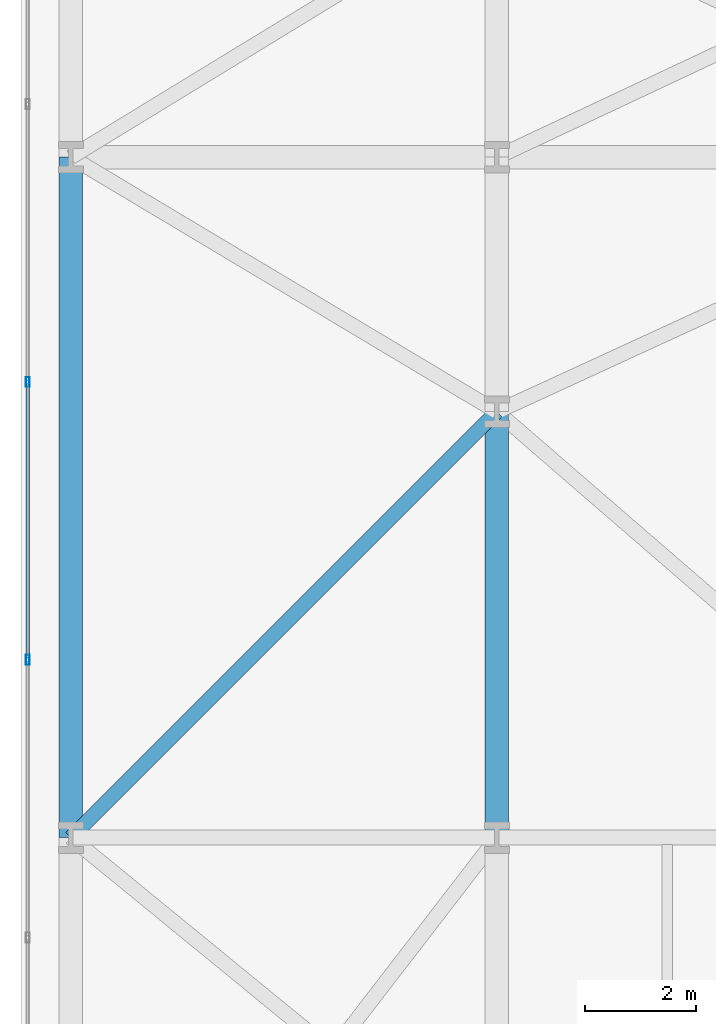
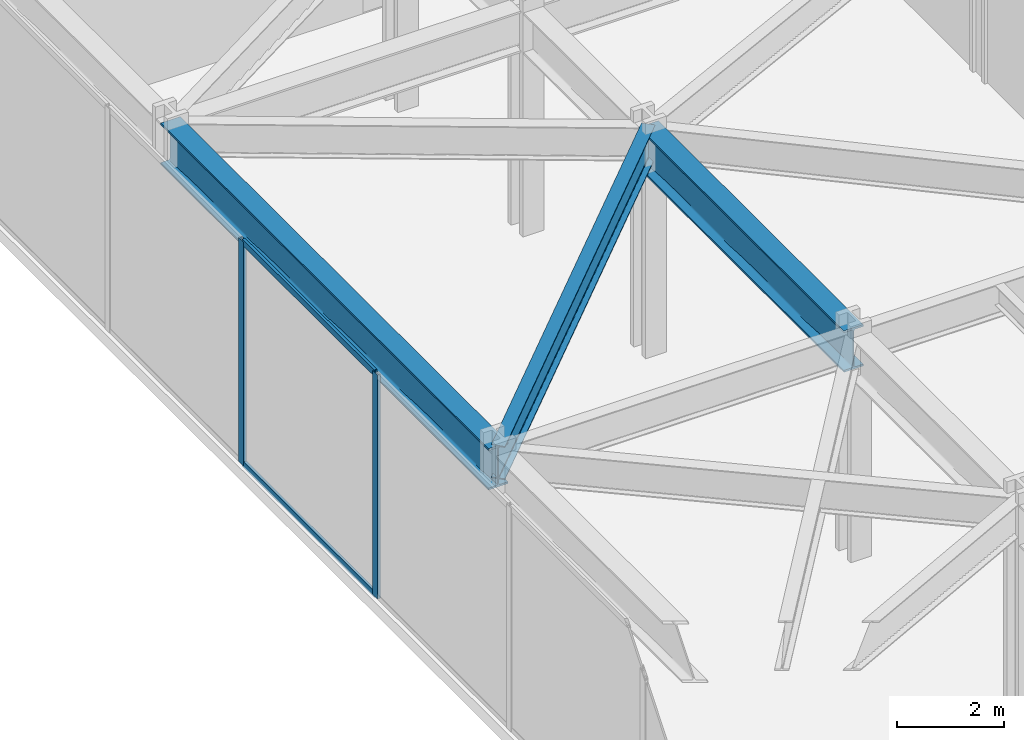
# One storey, part 8 of 29: 4 members, 3 beams, 1 element without a shape of its own.
"""IFC4 building model written with IfcOpenShell, lengths in metres."""

from ifc_helpers import new_model, si_unit, direction, frame, origin, origin_2d, place, context, subcontext, project, spatial, hollow_rectangle, i_section, extrude, material, layer, layer_set, material_profile, profile_set, type_object, element, aggregate, save


model = new_model("IFC4")

# Units and contexts
model_context = context("Model", 3, precision=1e-05, world=origin(), true_north=direction((0.0, 1.0)))
body_context = subcontext(model_context, "Body", "Model", "MODEL_VIEW")
ifc_project = project(units=[si_unit("LENGTHUNIT", "METRE"), si_unit("AREAUNIT", "SQUARE_METRE"), si_unit("VOLUMEUNIT", "CUBIC_METRE"), si_unit("PLANEANGLEUNIT", "RADIAN"), si_unit("MASSUNIT", "GRAM", prefix="KILO")], contexts=[model_context])

# Site, building, storey
site_placement = place(None, origin())
site = spatial("IfcSite", under=ifc_project, at=site_placement, CompositionType="ELEMENT")
building_placement = place(site_placement, origin())
building = spatial("IfcBuilding", under=site, at=building_placement, Name="Kravanh Interchange Tower", CompositionType="ELEMENT")
storey_placement = place(building_placement, frame((0.0, 0.0, 5.39990234375)))
storey = spatial("IfcBuildingStorey", under=building, at=storey_placement, Name="L01", CompositionType="ELEMENT", Elevation=5.39990234375)

# Curtain wall, members
ifc_material_1 = material(Name="Anodised Bronze Aluminium", Category="aluminium")
ifc_layer = layer(ifc_material_1, 0.179931640625)
ifc_layer_set = layer_set([ifc_layer], Name="Unitised Curtain Wall System CW-POD Podium Concourse")
curtain_wall_type = type_object("IfcCurtainWallType", Name="Unitised Curtain Wall System CW-POD Podium Concourse", PredefinedType="NOTDEFINED", material=ifc_layer_set)
curtain_wall_placement = place(storey_placement, origin())
curtain_wall = element("IfcCurtainWall", 1, at=curtain_wall_placement, inside=storey, type_object=curtain_wall_type, Name="L01 Unitised Curtain Wall CW-L01-01", PredefinedType="NOTDEFINED")
ifc_material_2 = material(Name="Anodised Bronze Aluminium", Category="aluminium")
ifc_material_profile_1 = material_profile(ifc_material_2, hollow_rectangle(XDim=0.070068359375, YDim=0.179931640625, WallThickness=0.00390625, at=origin_2d()), Name="ALU70X180X4")
ifc_profile_set_1 = profile_set([ifc_material_profile_1], Name="Anodised Bronze Aluminium")
member_type_1 = type_object("IfcMemberType", Name="Curtain Wall Mullion ALU70X180X4 Bronze", PredefinedType="MULLION", material=ifc_profile_set_1)
member_1_placement = place(storey_placement, frame((0.1201171875, 17.714111328125, 0.0), z_axis=(0.0, 0.0, 1.0), x_axis=(-1.0, 0.0, 0.0)))
member_1 = element("IfcMember", 2, at=member_1_placement, type_object=member_type_1, Name="CW-POD mullion 4", PredefinedType="MULLION", context=body_context, shape_type="SweptSolid", body=[
    extrude(hollow_rectangle(XDim=0.070068359375, YDim=0.179931640625, WallThickness=0.00390625, at=origin_2d()), origin(), (0.0, 0.0, 1.0), 5.130126953125),
])
member_2_placement = place(storey_placement, frame((0.1201171875, 22.735595703125, 0.0), z_axis=(0.0, 0.0, 1.0), x_axis=(-1.0, 0.0, 0.0)))
member_2 = element("IfcMember", 3, at=member_2_placement, type_object=member_type_1, Name="CW-POD mullion 5", PredefinedType="MULLION", context=body_context, shape_type="SweptSolid", body=[
    extrude(hollow_rectangle(XDim=0.070068359375, YDim=0.179931640625, WallThickness=0.00390625, at=origin_2d()), origin(), (0.0, 0.0, 1.0), 5.130126953125),
])
ifc_material_3 = material(Name="Anodised Bronze Aluminium", Category="aluminium")
ifc_material_profile_2 = material_profile(ifc_material_3, hollow_rectangle(XDim=0.06005859375, YDim=0.139892578125, WallThickness=0.00390625, at=origin_2d()), Name="ALU60X140X4")
ifc_profile_set_2 = profile_set([ifc_material_profile_2], Name="Anodised Bronze Aluminium")
member_type_2 = type_object("IfcMemberType", Name="Curtain Wall Transom ALU60X140X4 Bronze", PredefinedType="USERDEFINED", material=ifc_profile_set_2)
member_3_placement = place(storey_placement, frame((0.1201171875, 17.7490234375, 0.030029296875), z_axis=(0.0, 1.0, 0.0), x_axis=(-1.0, 0.0, 0.0)))
member_3 = element("IfcMember", 4, at=member_3_placement, type_object=member_type_2, Name="CW-POD transom 4.1", ObjectType="TRANSOM", PredefinedType="USERDEFINED", context=body_context, shape_type="SweptSolid", body=[
    extrude(hollow_rectangle(XDim=0.06005859375, YDim=0.139892578125, WallThickness=0.00390625, at=origin_2d()), origin(), (0.0, 0.0, 1.0), 4.95166015625),
])
member_4_placement = place(storey_placement, frame((0.1201171875, 17.7490234375, 5.10009765625), z_axis=(0.0, 1.0, 0.0), x_axis=(-1.0, 0.0, 0.0)))
member_4 = element("IfcMember", 5, at=member_4_placement, type_object=member_type_2, Name="CW-POD transom 4.2", ObjectType="TRANSOM", PredefinedType="USERDEFINED", context=body_context, shape_type="SweptSolid", body=[
    extrude(hollow_rectangle(XDim=0.06005859375, YDim=0.139892578125, WallThickness=0.00390625, at=origin_2d()), origin(), (0.0, 0.0, 1.0), 4.95166015625),
])
aggregate(curtain_wall, [member_1, member_2, member_3, member_4])

# Beams
ifc_material_4 = material(Name="Structural Steel S450", Category="steel")
ifc_material_profile_3 = material_profile(ifc_material_4, i_section(OverallWidth=0.423095703125, OverallDepth=0.947998046875, WebThickness=0.02392578125, FlangeThickness=0.042724609375, FilletRadius=0.028076171875, at=origin_2d()), Name="W36X302")
ifc_profile_set_3 = profile_set([ifc_material_profile_3], Name="Structural Steel S450")
beam_type_1 = type_object("IfcBeamType", Name="Floor Beam W36X302 Structural Steel S450", PredefinedType="BEAM", material=ifc_profile_set_3)
beam_1_placement = place(storey_placement, frame((8.60009765625, 14.5, 4.656005859375), z_axis=(0.0, 1.0, 0.0), x_axis=(-1.0, 0.0, 0.0)))
element("IfcBeam", 6, at=beam_1_placement, inside=storey, type_object=beam_type_1, Name="L01 Primary Floor Girder 37", PredefinedType="BEAM", context=body_context, shape_type="SweptSolid", body=[
    extrude(i_section(OverallWidth=0.423095703125, OverallDepth=0.947998046875, WebThickness=0.02392578125, FlangeThickness=0.042724609375, FilletRadius=0.028076171875, at=origin_2d()), origin(), (0.0, 0.0, 1.0), 7.699951171875),
])
beam_2_placement = place(storey_placement, frame((0.89990234375, 14.5, 4.656005859375), z_axis=(0.0, 1.0, 0.0), x_axis=(-1.0, 0.0, 0.0)))
element("IfcBeam", 7, at=beam_2_placement, inside=storey, type_object=beam_type_1, Name="L01 Primary Floor Girder 123", PredefinedType="BEAM", context=body_context, shape_type="SweptSolid", body=[
    extrude(i_section(OverallWidth=0.423095703125, OverallDepth=0.947998046875, WebThickness=0.02392578125, FlangeThickness=0.042724609375, FilletRadius=0.028076171875, at=origin_2d()), origin(), (0.0, 0.0, 1.0), 12.300048828125),
])
ifc_material_5 = material(Name="Structural Steel S355", Category="steel")
ifc_material_profile_4 = material_profile(ifc_material_5, i_section(OverallWidth=0.26708984375, OverallDepth=0.761962890625, WebThickness=0.014404296875, FlangeThickness=0.021484375, FilletRadius=0.02490234375, at=origin_2d()), Name="W30X116")
ifc_profile_set_4 = profile_set([ifc_material_profile_4], Name="Structural Steel S355")
beam_type_2 = type_object("IfcBeamType", Name="Floor Spandrel W30X116 Structural Steel S355", PredefinedType="SPANDREL", material=ifc_profile_set_4)
beam_3_placement = place(storey_placement, frame((8.60009765625, 22.199951171875, 4.7490234375), z_axis=(-0.707117990958, -0.707095571237, 0.0), x_axis=(0.707095571237, -0.707117990958, 0.0)))
element("IfcBeam", 8, at=beam_3_placement, inside=storey, type_object=beam_type_2, Name="L01 Perimeter Spandrel 59", PredefinedType="SPANDREL", context=body_context, shape_type="SweptSolid", body=[
    extrude(i_section(OverallWidth=0.26708984375, OverallDepth=0.761962890625, WebThickness=0.014404296875, FlangeThickness=0.021484375, FilletRadius=0.02490234375, at=origin_2d()), origin(), (0.0, 0.0, 1.0), 10.8896484375),
])

save(model, "model.ifc")
